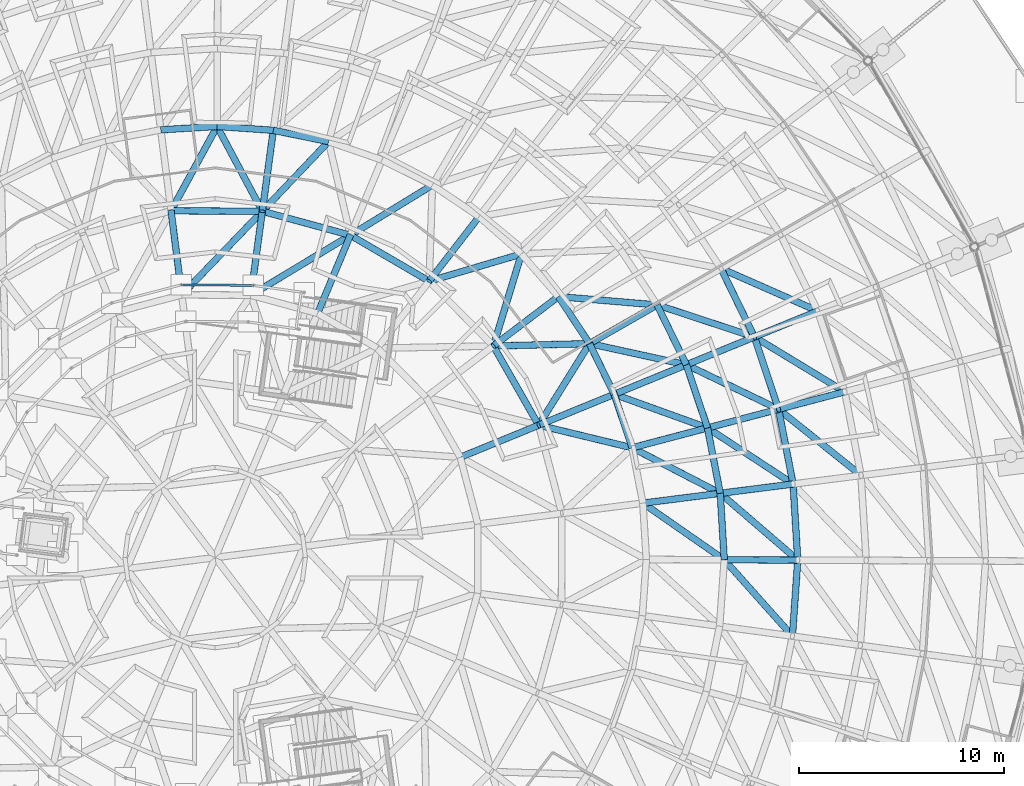
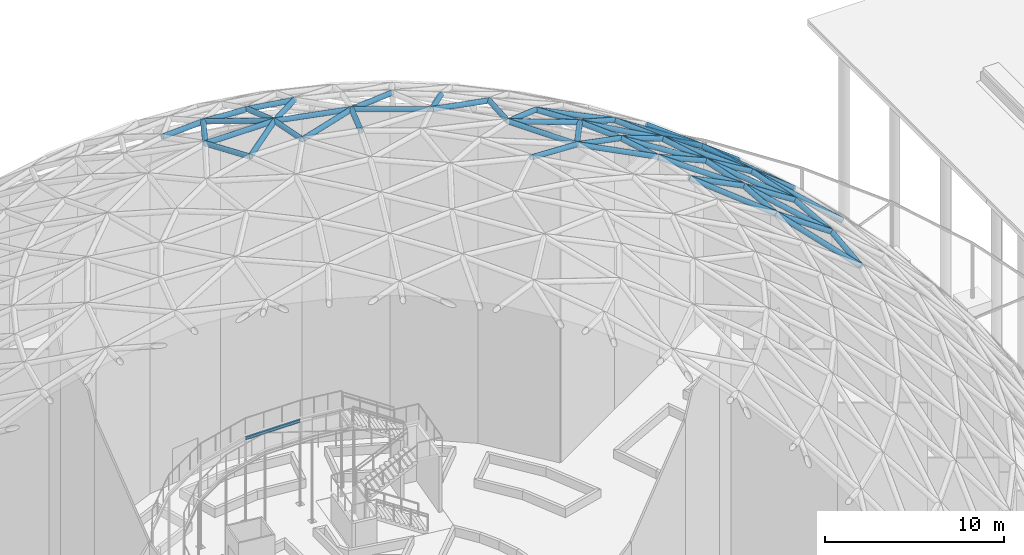
# One storey, part 108 of 226: 61 members, 1 beam.
"""IFC4 building model written with IfcOpenShell, lengths in metres."""

from ifc_helpers import new_model, si_unit, direction, frame, origin, origin_2d, place, context, subcontext, project, spatial, hollow_circle, i_section, extrude, material, material_profile, profile_set, type_object, element, save


model = new_model("IFC4")

# Units and contexts
model_context = context("Model", 3, precision=1e-05, world=origin(), true_north=direction((0.0, 1.0)))
body_context = subcontext(model_context, "Body", "Model", "MODEL_VIEW")
ifc_project = project(units=[si_unit("LENGTHUNIT", "METRE"), si_unit("AREAUNIT", "SQUARE_METRE"), si_unit("VOLUMEUNIT", "CUBIC_METRE"), si_unit("PLANEANGLEUNIT", "RADIAN"), si_unit("MASSUNIT", "GRAM", prefix="KILO")], contexts=[model_context])

# Site, building, storey
site_placement = place(None, origin())
site = spatial("IfcSite", under=ifc_project, at=site_placement, CompositionType="ELEMENT")
building_placement = place(site_placement, origin())
building = spatial("IfcBuilding", under=site, at=building_placement, Name="Ceibo Conservatory and Research Tower", CompositionType="ELEMENT")
storey_placement = place(building_placement, origin())
storey = spatial("IfcBuildingStorey", under=building, at=storey_placement, Name="L00", CompositionType="ELEMENT", Elevation=0.0)

# Members
ifc_material_1 = material(Name="Steel ASTM A500 Gr C", Category="steel")
ifc_material_profile_1 = material_profile(ifc_material_1, hollow_circle(Radius=0.161865234375, WallThickness=0.01025390625, at=origin_2d()), Name="CHS 323.9x10.31")
ifc_profile_set_1 = profile_set([ifc_material_profile_1], Name="Steel ASTM A500 Gr C")
member_type_1 = type_object("IfcMemberType", Name="CHS 323.9x10.31", PredefinedType="NOTDEFINED", material=ifc_profile_set_1)
member_1_placement = place(storey_placement, frame((184.177978515625, 111.5849609375, 17.39501953125), z_axis=(-0.815548674865, -0.103701353107, 0.569320988801), x_axis=(0.126139666344, -0.992012492147, 0.0)))
element("IfcMember", 1, at=member_1_placement, inside=storey, type_object=member_type_1, Name="Gridshell member A-M01-05", PredefinedType="RAFTER", context=body_context, shape_type="SweptSolid", body=[
    extrude(hollow_circle(Radius=0.161865234375, WallThickness=0.01025390625, at=origin_2d()), origin(), (0.0, 0.0, 1.0), 4.357666015625),
])
member_2_placement = place(storey_placement, frame((183.468994140625, 115.23193359375, 17.39501953125), z_axis=(-0.795082110604, -0.20923213437, 0.569268259562), x_axis=(0.25449329928, -0.967074537263, 0.0)))
element("IfcMember", 2, at=member_2_placement, inside=storey, type_object=member_type_1, Name="Gridshell member A-M02-05", PredefinedType="RAFTER", context=body_context, shape_type="SweptSolid", body=[
    extrude(hollow_circle(Radius=0.161865234375, WallThickness=0.01025390625, at=origin_2d()), origin(), (0.0, 0.0, 1.0), 4.358154296875),
])
member_3_placement = place(storey_placement, frame((182.2900390625, 118.756103515625, 17.39501953125), z_axis=(-0.760876121558, -0.311420288598, 0.569284578653), x_axis=(0.378792035202, -0.925481817254, 0.0)))
element("IfcMember", 3, at=member_3_placement, inside=storey, type_object=member_type_1, Name="Gridshell member A-M03-05", PredefinedType="RAFTER", context=body_context, shape_type="SweptSolid", body=[
    extrude(hollow_circle(Radius=0.161865234375, WallThickness=0.01025390625, at=origin_2d()), origin(), (0.0, 0.0, 1.0), 4.35791015625),
])
member_4_placement = place(storey_placement, frame((184.405029296875, 107.8759765625, 17.39501953125), z_axis=(-0.822142202026, 0.00369728709, 0.569270172867), x_axis=(-0.00449709271, -0.999989888027, 0.0)))
element("IfcMember", 4, at=member_4_placement, inside=storey, type_object=member_type_1, Name="Gridshell member A-M48-05", PredefinedType="RAFTER", context=body_context, shape_type="SweptSolid", body=[
    extrude(hollow_circle(Radius=0.161865234375, WallThickness=0.01025390625, at=origin_2d()), origin(), (0.0, 0.0, 1.0), 4.358154296875),
])
member_5_placement = place(storey_placement, frame((180.6240234375, 111.133056640625, 19.8759765625), z_axis=(-0.864673396571, -0.110085992595, 0.490123445162), x_axis=(0.126295657253, -0.991992644609, 0.0)))
element("IfcMember", 5, at=member_5_placement, inside=storey, type_object=member_type_1, Name="Gridshell member A-M01-06", PredefinedType="RAFTER", context=body_context, shape_type="SweptSolid", body=[
    extrude(hollow_circle(Radius=0.161865234375, WallThickness=0.01025390625, at=origin_2d()), origin(), (0.0, 0.0, 1.0), 4.360107421875),
])
member_6_placement = place(storey_placement, frame((180.00390625, 114.320068359375, 19.8759765625), z_axis=(-0.84288373455, -0.222032554311, 0.490151563149), x_axis=(0.254730464631, -0.967012094231, 0.0)))
element("IfcMember", 6, at=member_6_placement, inside=storey, type_object=member_type_1, Name="Gridshell member A-M02-06", PredefinedType="RAFTER", context=body_context, shape_type="SweptSolid", body=[
    extrude(hollow_circle(Radius=0.161865234375, WallThickness=0.01025390625, at=origin_2d()), origin(), (0.0, 0.0, 1.0), 4.35986328125),
])
member_7_placement = place(storey_placement, frame((178.97412109375, 117.39892578125, 19.8759765625), z_axis=(-0.806723945208, -0.330059067962, 0.49016067558), x_axis=(0.378667868227, -0.925532628043, 0.0)))
element("IfcMember", 7, at=member_7_placement, inside=storey, type_object=member_type_1, Name="Gridshell member A-M03-06", PredefinedType="RAFTER", context=body_context, shape_type="SweptSolid", body=[
    extrude(hollow_circle(Radius=0.161865234375, WallThickness=0.01025390625, at=origin_2d()), origin(), (0.0, 0.0, 1.0), 4.359619140625),
])
member_8_placement = place(storey_placement, frame((177.550048828125, 120.31689453125, 19.8759765625), z_axis=(-0.756711089888, -0.432590332967, 0.490157046532), x_axis=(0.49629806169, -0.868152195161, 0.0)))
element("IfcMember", 8, at=member_8_placement, inside=storey, type_object=member_type_1, Name="Gridshell member A-M04-06", PredefinedType="RAFTER", context=body_context, shape_type="SweptSolid", body=[
    extrude(hollow_circle(Radius=0.161865234375, WallThickness=0.01025390625, at=origin_2d()), origin(), (0.0, 0.0, 1.0), 4.35986328125),
])
member_9_placement = place(storey_placement, frame((175.45703125, 115.9599609375, 22.012939453125), z_axis=(-0.845363878027, -0.345728847162, 0.407224112703), x_axis=(0.378537334184, -0.925586023354, 0.0)))
element("IfcMember", 9, at=member_9_placement, inside=storey, type_object=member_type_1, Name="Gridshell member A-M03-07", PredefinedType="RAFTER", context=body_context, shape_type="SweptSolid", body=[
    extrude(hollow_circle(Radius=0.161865234375, WallThickness=0.01025390625, at=origin_2d()), origin(), (0.0, 0.0, 1.0), 4.359130859375),
])
member_10_placement = place(storey_placement, frame((172.73388671875, 120.72412109375, 22.012939453125), z_axis=(-0.727053629855, -0.552740001496, 0.407273262148), x_axis=(0.605207662432, -0.796067638667, 0.0)))
element("IfcMember", 10, at=member_10_placement, inside=storey, type_object=member_type_1, Name="Gridshell member A-M05-07", PredefinedType="RAFTER", context=body_context, shape_type="SweptSolid", body=[
    extrude(hollow_circle(Radius=0.161865234375, WallThickness=0.01025390625, at=origin_2d()), origin(), (0.0, 0.0, 1.0), 4.358642578125),
])
member_11_placement = place(storey_placement, frame((168.8701171875, 124.6220703125, 22.012939453125), z_axis=(-0.559092430089, -0.722193728068, 0.407249154396), x_axis=(0.790737113753, -0.612155876337, 0.0)))
element("IfcMember", 11, at=member_11_placement, inside=storey, type_object=member_type_1, Name="Gridshell member A-M07-07", PredefinedType="RAFTER", context=body_context, shape_type="SweptSolid", body=[
    extrude(hollow_circle(Radius=0.161865234375, WallThickness=0.01025390625, at=origin_2d()), origin(), (0.0, 0.0, 1.0), 4.35888671875),
])
member_12_placement = place(storey_placement, frame((158.8349609375, 128.830078125, 22.012939453125), z_axis=(-0.123155824209, -0.904990888306, 0.40721509678), x_axis=(0.990867072164, -0.134842297895, 0.0)))
element("IfcMember", 12, at=member_12_placement, inside=storey, type_object=member_type_1, Name="Gridshell member A-M11-07", PredefinedType="RAFTER", context=body_context, shape_type="SweptSolid", body=[
    extrude(hollow_circle(Radius=0.161865234375, WallThickness=0.01025390625, at=origin_2d()), origin(), (0.0, 0.0, 1.0), 4.359130859375),
])
ifc_material_profile_2 = material_profile(ifc_material_1, hollow_circle(Radius=0.161865234375, WallThickness=0.01416015625, at=origin_2d()), Name="CHS 323.9x14.27")
ifc_profile_set_2 = profile_set([ifc_material_profile_2], Name="Steel ASTM A500 Gr C")
member_type_2 = type_object("IfcMemberType", Name="CHS 323.9x14.27", PredefinedType="NOTDEFINED", material=ifc_profile_set_2)
member_13_placement = place(storey_placement, frame((186.697021484375, 116.08203125, 14.591064453125), z_axis=(-0.740463021501, -0.19500016948, 0.643186946146), x_axis=(0.254666097669, -0.967029047495, 0.0)))
element("IfcMember", 13, at=member_13_placement, inside=storey, type_object=member_type_2, Name="Gridshell member A-M02-04", PredefinedType="RAFTER", context=body_context, shape_type="SweptSolid", body=[
    extrude(hollow_circle(Radius=0.161865234375, WallThickness=0.01416015625, at=origin_2d()), origin(), (0.0, 0.0, 1.0), 4.359375),
])
member_14_placement = place(storey_placement, frame((185.37890625, 120.01904296875, 14.591064453125), z_axis=(-0.708666797854, -0.289751291914, 0.64330051955), x_axis=(0.378456219148, -0.925619192859, 0.0)))
element("IfcMember", 14, at=member_14_placement, inside=storey, type_object=member_type_2, Name="Gridshell member A-M03-04", PredefinedType="RAFTER", context=body_context, shape_type="SweptSolid", body=[
    extrude(hollow_circle(Radius=0.161865234375, WallThickness=0.01416015625, at=origin_2d()), origin(), (0.0, 0.0, 1.0), 4.358642578125),
])
ifc_material_profile_3 = material_profile(ifc_material_1, hollow_circle(Radius=0.161865234375, WallThickness=0.00634765625, at=origin_2d()), Name="CHS 323.9x6.35")
ifc_profile_set_3 = profile_set([ifc_material_profile_3], Name="Steel ASTM A500 Gr C")
member_type_3 = type_object("IfcMemberType", Name="CHS 323.9x6.35", PredefinedType="NOTDEFINED", material=ifc_profile_set_3)
member_15_placement = place(storey_placement, frame((171.77197265625, 114.452880859375, 23.7880859375), z_axis=(-0.496162581046, 0.868229631589, 0.0), x_axis=(-0.868229631589, -0.496162581046, 0.0)))
element("IfcMember", 15, at=member_15_placement, inside=storey, type_object=member_type_3, Name="Gridshell member A-C08-02", PredefinedType="CHORD", context=body_context, shape_type="SweptSolid", body=[
    extrude(hollow_circle(Radius=0.161865234375, WallThickness=0.00634765625, at=origin_2d()), origin(), (0.0, 0.0, 1.0), 4.4482421875),
])
member_16_placement = place(storey_placement, frame((166.43310546875, 121.47412109375, 23.7880859375), z_axis=(-0.863856517975, 0.503737944126, 0.0), x_axis=(-0.503737944126, -0.863856517975, 0.0)))
element("IfcMember", 16, at=member_16_placement, inside=storey, type_object=member_type_3, Name="Gridshell member A-C08-04", PredefinedType="CHORD", context=body_context, shape_type="SweptSolid", body=[
    extrude(hollow_circle(Radius=0.161865234375, WallThickness=0.00634765625, at=origin_2d()), origin(), (0.0, 0.0, 1.0), 4.44873046875),
])
member_17_placement = place(storey_placement, frame((162.590087890625, 123.715087890625, 23.7880859375), z_axis=(-0.964799273725, 0.262987378822, 0.0), x_axis=(-0.262987378822, -0.964799273725, 0.0)))
element("IfcMember", 17, at=member_17_placement, inside=storey, type_object=member_type_3, Name="Gridshell member A-C08-05", PredefinedType="CHORD", context=body_context, shape_type="SweptSolid", body=[
    extrude(hollow_circle(Radius=0.161865234375, WallThickness=0.00634765625, at=origin_2d()), origin(), (0.0, 0.0, 1.0), 4.448486328125),
])
member_18_placement = place(storey_placement, frame((158.298095703125, 124.885009765625, 23.7880859375), z_axis=(-0.999989876018, 0.004499762379, 0.0), x_axis=(-0.004499762379, -0.999989876018, 0.0)))
element("IfcMember", 18, at=member_18_placement, inside=storey, type_object=member_type_3, Name="Gridshell member A-C08-06", PredefinedType="CHORD", context=body_context, shape_type="SweptSolid", body=[
    extrude(hollow_circle(Radius=0.161865234375, WallThickness=0.00634765625, at=origin_2d()), origin(), (0.0, 0.0, 1.0), 4.448974609375),
])
member_19_placement = place(storey_placement, frame((184.177978515625, 111.5849609375, 17.39501953125), z_axis=(-0.748975049311, 0.490774257322, 0.445170758092), x_axis=(-0.548078190568, -0.836427102038, 0.0)))
element("IfcMember", 19, at=member_19_placement, inside=storey, type_object=member_type_3, Name="Gridshell diagonal member A-D05-01", PredefinedType="BRACE", context=body_context, shape_type="SweptSolid", body=[
    extrude(hollow_circle(Radius=0.161865234375, WallThickness=0.00634765625, at=origin_2d()), origin(), (0.0, 0.0, 1.0), 5.572998046875),
])
member_20_placement = place(storey_placement, frame((183.468994140625, 115.23193359375, 17.39501953125), z_axis=(-0.806589298942, 0.38885919382, 0.445199090536), x_axis=(-0.434270120788, -0.900782694212, 0.0)))
element("IfcMember", 20, at=member_20_placement, inside=storey, type_object=member_type_3, Name="Gridshell diagonal member A-D05-02", PredefinedType="BRACE", context=body_context, shape_type="SweptSolid", body=[
    extrude(hollow_circle(Radius=0.161865234375, WallThickness=0.00634765625, at=origin_2d()), origin(), (0.0, 0.0, 1.0), 5.57275390625),
])
for number, where, z_axis, x_axis, name in (
    (21, (182.2900390625, 118.756103515625, 17.39501953125), (-0.850522179751, 0.280061205004, 0.445171588495), (-0.31276194088, -0.949831547348, 0.0), "Gridshell diagonal member A-D05-03"),
    (22, (184.14599609375, 104.169921875, 17.39501953125), (-0.596441059943, 0.667891325736, 0.445173268538), (-0.745876895649, -0.666083820954, 0.0), "Gridshell diagonal member A-D05-47"),
):
    element("IfcMember", number, at=place(storey_placement, frame(where, z_axis=z_axis, x_axis=x_axis)), inside=storey, type_object=member_type_3, Name=name, PredefinedType="BRACE", context=body_context, shape_type="SweptSolid", body=[
        extrude(hollow_circle(Radius=0.161865234375, WallThickness=0.00634765625, at=origin_2d()), origin(), (0.0, 0.0, 1.0), 5.572998046875),
    ])
member_21_placement = place(storey_placement, frame((184.405029296875, 107.8759765625, 17.39501953125), z_axis=(-0.678435486365, 0.584426152489, 0.445164422576), x_axis=(-0.65266280113, -0.757648512188, 0.0)))
element("IfcMember", 23, at=member_21_placement, inside=storey, type_object=member_type_3, Name="Gridshell diagonal member A-D05-48", PredefinedType="BRACE", context=body_context, shape_type="SweptSolid", body=[
    extrude(hollow_circle(Radius=0.161865234375, WallThickness=0.00634765625, at=origin_2d()), origin(), (0.0, 0.0, 1.0), 5.5732421875),
])
member_22_placement = place(storey_placement, frame((180.6240234375, 111.133056640625, 19.8759765625), z_axis=(-0.812580071698, 0.41982379898, 0.404303852181), x_axis=(-0.459012079617, -0.888430025813, 0.0)))
element("IfcMember", 24, at=member_22_placement, inside=storey, type_object=member_type_3, Name="Gridshell diagonal member A-D06-01", PredefinedType="BRACE", context=body_context, shape_type="SweptSolid", body=[
    extrude(hollow_circle(Radius=0.161865234375, WallThickness=0.00634765625, at=origin_2d()), origin(), (0.0, 0.0, 1.0), 5.28564453125),
])
member_23_placement = place(storey_placement, frame((180.00390625, 114.320068359375, 19.8759765625), z_axis=(-0.860355796073, 0.310299070136, 0.404354289252), x_axis=(-0.339272080691, -0.940688288044, 0.0)))
element("IfcMember", 25, at=member_23_placement, inside=storey, type_object=member_type_3, Name="Gridshell diagonal member A-D06-02", PredefinedType="BRACE", context=body_context, shape_type="SweptSolid", body=[
    extrude(hollow_circle(Radius=0.161865234375, WallThickness=0.00634765625, at=origin_2d()), origin(), (0.0, 0.0, 1.0), 5.284912109375),
])
member_24_placement = place(storey_placement, frame((178.97412109375, 117.39892578125, 19.8759765625), z_axis=(-0.893553222526, 0.195236714133, 0.404283642963), x_axis=(-0.213458920442, -0.976952040422, 0.0)))
element("IfcMember", 26, at=member_24_placement, inside=storey, type_object=member_type_3, Name="Gridshell diagonal member A-D06-03", PredefinedType="BRACE", context=body_context, shape_type="SweptSolid", body=[
    extrude(hollow_circle(Radius=0.161865234375, WallThickness=0.00634765625, at=origin_2d()), origin(), (0.0, 0.0, 1.0), 5.285888671875),
])
member_25_placement = place(storey_placement, frame((177.550048828125, 120.31689453125, 19.8759765625), z_axis=(-0.911343828379, 0.077057915838, 0.404369266985), x_axis=(-0.084253519406, -0.996444350914, 0.0)))
element("IfcMember", 27, at=member_25_placement, inside=storey, type_object=member_type_3, Name="Gridshell diagonal member A-D06-04", PredefinedType="BRACE", context=body_context, shape_type="SweptSolid", body=[
    extrude(hollow_circle(Radius=0.161865234375, WallThickness=0.00634765625, at=origin_2d()), origin(), (0.0, 0.0, 1.0), 5.28466796875),
])
member_26_placement = place(storey_placement, frame((180.822021484375, 107.89208984375, 19.8759765625), z_axis=(-0.750759183648, 0.522385750807, 0.404318903247), x_axis=(-0.57115178965, -0.820844463452, 0.0)))
element("IfcMember", 28, at=member_26_placement, inside=storey, type_object=member_type_3, Name="Gridshell diagonal member A-D06-48", PredefinedType="BRACE", context=body_context, shape_type="SweptSolid", body=[
    extrude(hollow_circle(Radius=0.161865234375, WallThickness=0.00634765625, at=origin_2d()), origin(), (0.0, 0.0, 1.0), 5.285400390625),
])
member_27_placement = place(storey_placement, frame((176.3291015625, 113.35205078125, 22.012939453125), z_axis=(-0.909058117901, 0.219594077661, 0.354107016782), x_axis=(-0.234808517034, -0.972041645367, 0.0)))
element("IfcMember", 29, at=member_27_placement, inside=storey, type_object=member_type_3, Name="Gridshell diagonal member A-D07-03", PredefinedType="BRACE", context=body_context, shape_type="SweptSolid", body=[
    extrude(hollow_circle(Radius=0.161865234375, WallThickness=0.00634765625, at=origin_2d()), origin(), (0.0, 0.0, 1.0), 5.012939453125),
])
member_28_placement = place(storey_placement, frame((174.2509765625, 118.430908203125, 22.012939453125), z_axis=(-0.494602259492, -0.793682215498, 0.354171068423), x_axis=(0.848694006558, -0.528884186976, 0.0)))
element("IfcMember", 30, at=member_28_placement, inside=storey, type_object=member_type_3, Name="Gridshell diagonal member A-D07-04", PredefinedType="BRACE", context=body_context, shape_type="SweptSolid", body=[
    extrude(hollow_circle(Radius=0.161865234375, WallThickness=0.00634765625, at=origin_2d()), origin(), (0.0, 0.0, 1.0), 5.01220703125),
])
member_29_placement = place(storey_placement, frame((174.2509765625, 118.430908203125, 22.012939453125), z_axis=(-0.934900321185, -0.02313627449, 0.354155477511), x_axis=(0.024739742353, -0.999693925733, 0.0)))
element("IfcMember", 31, at=member_29_placement, inside=storey, type_object=member_type_3, Name="Gridshell diagonal member A-D07-05", PredefinedType="BRACE", context=body_context, shape_type="SweptSolid", body=[
    extrude(hollow_circle(Radius=0.161865234375, WallThickness=0.00634765625, at=origin_2d()), origin(), (0.0, 0.0, 1.0), 5.012451171875),
])
for number, where, z_axis, x_axis, name in (
    (32, (170.929931640625, 122.800048828125, 22.012939453125), (-0.272288126249, -0.894688815476, 0.354106057228), (0.956676403075, -0.29115332696, 0.0), "Gridshell diagonal member A-D07-06"),
    (33, (170.929931640625, 122.800048828125, 22.012939453125), (-0.897023917575, -0.264495189552, 0.354105049389), (0.282820349314, -0.959172898916, 0.0), "Gridshell diagonal member A-D07-07"),
):
    element("IfcMember", number, at=place(storey_placement, frame(where, z_axis=z_axis, x_axis=x_axis)), inside=storey, type_object=member_type_3, Name=name, PredefinedType="BRACE", context=body_context, shape_type="SweptSolid", body=[
        extrude(hollow_circle(Radius=0.161865234375, WallThickness=0.00634765625, at=origin_2d()), origin(), (0.0, 0.0, 1.0), 5.012939453125),
    ])
member_30_placement = place(storey_placement, frame((166.590087890625, 126.159912109375, 22.012939453125), z_axis=(-0.797954900847, -0.487714866765, 0.354121709232), x_axis=(0.52150899092, -0.853245786623, 0.0)))
element("IfcMember", 34, at=member_30_placement, inside=storey, type_object=member_type_3, Name="Gridshell diagonal member A-D07-09", PredefinedType="BRACE", context=body_context, shape_type="SweptSolid", body=[
    extrude(hollow_circle(Radius=0.161865234375, WallThickness=0.00634765625, at=origin_2d()), origin(), (0.0, 0.0, 1.0), 5.0126953125),
])
member_31_placement = place(storey_placement, frame((161.529052734375, 128.281982421875, 22.012939453125), z_axis=(-0.644522300446, -0.677639662113, 0.354112259826), x_axis=(0.724591043665, -0.689179090978, 0.0)))
element("IfcMember", 35, at=member_31_placement, inside=storey, type_object=member_type_3, Name="Gridshell diagonal member A-D07-11", PredefinedType="BRACE", context=body_context, shape_type="SweptSolid", body=[
    extrude(hollow_circle(Radius=0.161865234375, WallThickness=0.00634765625, at=origin_2d()), origin(), (0.0, 0.0, 1.0), 5.012939453125),
])
for number, where, z_axis, x_axis, name in (
    (36, (156.092041015625, 129.02197265625, 22.012939453125), (0.440048244196, -0.825212206497, 0.354093712212), (0.88238176902, 0.470534179101, 0.0), "Gridshell diagonal member A-D07-12"),
    (37, (156.092041015625, 129.02197265625, 22.012939453125), (-0.447412781829, -0.821238896265, 0.354102355141), (0.878136266102, -0.478410595782, 0.0), "Gridshell diagonal member A-D07-13"),
):
    element("IfcMember", number, at=place(storey_placement, frame(where, z_axis=z_axis, x_axis=x_axis)), inside=storey, type_object=member_type_3, Name=name, PredefinedType="BRACE", context=body_context, shape_type="SweptSolid", body=[
        extrude(hollow_circle(Radius=0.161865234375, WallThickness=0.00634765625, at=origin_2d()), origin(), (0.0, 0.0, 1.0), 5.01318359375),
    ])
member_32_placement = place(storey_placement, frame((162.590087890625, 123.715087890625, 23.7880859375), z_axis=(-0.831668110253, -0.501002363266, 0.239425951789), x_axis=(0.516010727566, -0.856582120428, 0.0)))
element("IfcMember", 38, at=member_32_placement, inside=storey, type_object=member_type_3, Name="Gridshell diagonal member A-D08-05", PredefinedType="BRACE", context=body_context, shape_type="SweptSolid", body=[
    extrude(hollow_circle(Radius=0.161865234375, WallThickness=0.00634765625, at=origin_2d()), origin(), (0.0, 0.0, 1.0), 5.83056640625),
])
member_33_placement = place(storey_placement, frame((158.298095703125, 124.885009765625, 23.7880859375), z_axis=(-0.673640377299, -0.699187199192, 0.239470045222), x_axis=(0.72014058766, -0.693828173256, 0.0)))
element("IfcMember", 39, at=member_33_placement, inside=storey, type_object=member_type_3, Name="Gridshell diagonal member A-D08-06", PredefinedType="BRACE", context=body_context, shape_type="SweptSolid", body=[
    extrude(hollow_circle(Radius=0.161865234375, WallThickness=0.00634765625, at=origin_2d()), origin(), (0.0, 0.0, 1.0), 5.82958984375),
])
ifc_material_profile_4 = material_profile(ifc_material_1, hollow_circle(Radius=0.161865234375, WallThickness=0.00830078125, at=origin_2d()), Name="CHS 323.9x8.38")
ifc_profile_set_4 = profile_set([ifc_material_profile_4], Name="Steel ASTM A500 Gr C")
member_type_4 = type_object("IfcMemberType", Name="CHS 323.9x8.38", PredefinedType="NOTDEFINED", material=ifc_profile_set_4)
member_34_placement = place(storey_placement, frame((184.177978515625, 111.5849609375, 17.39501953125), z_axis=(-0.190830963929, 0.981622912939, 0.0), x_axis=(-0.981622912939, -0.190830963929, 0.0)))
element("IfcMember", 40, at=member_34_placement, inside=storey, type_object=member_type_4, Name="Gridshell member A-C05-01", PredefinedType="CHORD", context=body_context, shape_type="SweptSolid", body=[
    extrude(hollow_circle(Radius=0.161865234375, WallThickness=0.00830078125, at=origin_2d()), origin(), (0.0, 0.0, 1.0), 3.71533203125),
])
member_35_placement = place(storey_placement, frame((183.468994140625, 115.23193359375, 17.39501953125), z_axis=(-0.317252460005, 0.94834111828, 0.0), x_axis=(-0.94834111828, -0.317252460005, 0.0)))
element("IfcMember", 41, at=member_35_placement, inside=storey, type_object=member_type_4, Name="Gridshell member A-C05-02", PredefinedType="CHORD", context=body_context, shape_type="SweptSolid", body=[
    extrude(hollow_circle(Radius=0.161865234375, WallThickness=0.00830078125, at=origin_2d()), origin(), (0.0, 0.0, 1.0), 3.716064453125),
])
for number, where, z_axis, x_axis, name in (
    (42, (182.2900390625, 118.756103515625, 17.39501953125), (-0.438518144671, 0.89872233576, 0.0), (-0.89872233576, -0.438518144671, 0.0), "Gridshell member A-C05-03"),
    (43, (184.14599609375, 104.169921875, 17.39501953125), (0.069724494689, 0.997566285938, 0.0), (-0.997566285938, 0.069724494689, 0.0), "Gridshell member A-C05-47"),
):
    element("IfcMember", number, at=place(storey_placement, frame(where, z_axis=z_axis, x_axis=x_axis)), inside=storey, type_object=member_type_4, Name=name, PredefinedType="CHORD", context=body_context, shape_type="SweptSolid", body=[
        extrude(hollow_circle(Radius=0.161865234375, WallThickness=0.00830078125, at=origin_2d()), origin(), (0.0, 0.0, 1.0), 3.715087890625),
    ])
member_36_placement = place(storey_placement, frame((184.405029296875, 107.8759765625, 17.39501953125), z_axis=(-0.061102048285, 0.998131524247, 0.0), x_axis=(-0.998131524247, -0.061102048285, 0.0)))
element("IfcMember", 44, at=member_36_placement, inside=storey, type_object=member_type_4, Name="Gridshell member A-C05-48", PredefinedType="CHORD", context=body_context, shape_type="SweptSolid", body=[
    extrude(hollow_circle(Radius=0.161865234375, WallThickness=0.00830078125, at=origin_2d()), origin(), (0.0, 0.0, 1.0), 3.7158203125),
])
member_37_placement = place(storey_placement, frame((180.6240234375, 111.133056640625, 19.8759765625), z_axis=(-0.190994441564, 0.981591118181, 0.0), x_axis=(-0.981591118181, -0.190994441564, 0.0)))
element("IfcMember", 45, at=member_37_placement, inside=storey, type_object=member_type_4, Name="Gridshell member A-C06-01", PredefinedType="CHORD", context=body_context, shape_type="SweptSolid", body=[
    extrude(hollow_circle(Radius=0.161865234375, WallThickness=0.00830078125, at=origin_2d()), origin(), (0.0, 0.0, 1.0), 3.246826171875),
])
member_38_placement = place(storey_placement, frame((180.00390625, 114.320068359375, 19.8759765625), z_axis=(-0.317197693204, 0.948359437885, 0.0), x_axis=(-0.948359437885, -0.317197693204, 0.0)))
element("IfcMember", 46, at=member_38_placement, inside=storey, type_object=member_type_4, Name="Gridshell member A-C06-02", PredefinedType="CHORD", context=body_context, shape_type="SweptSolid", body=[
    extrude(hollow_circle(Radius=0.161865234375, WallThickness=0.00830078125, at=origin_2d()), origin(), (0.0, 0.0, 1.0), 3.24658203125),
])
member_39_placement = place(storey_placement, frame((178.97412109375, 117.39892578125, 19.8759765625), z_axis=(-0.438591025392, 0.898686771042, 0.0), x_axis=(-0.898686771042, -0.438591025392, 0.0)))
element("IfcMember", 47, at=member_39_placement, inside=storey, type_object=member_type_4, Name="Gridshell member A-C06-03", PredefinedType="CHORD", context=body_context, shape_type="SweptSolid", body=[
    extrude(hollow_circle(Radius=0.161865234375, WallThickness=0.00830078125, at=origin_2d()), origin(), (0.0, 0.0, 1.0), 3.246826171875),
])
member_40_placement = place(storey_placement, frame((180.822021484375, 107.89208984375, 19.8759765625), z_axis=(-0.060978590523, 0.998139074227, 0.0), x_axis=(-0.998139074227, -0.060978590523, 0.0)))
element("IfcMember", 48, at=member_40_placement, inside=storey, type_object=member_type_4, Name="Gridshell member A-C06-48", PredefinedType="CHORD", context=body_context, shape_type="SweptSolid", body=[
    extrude(hollow_circle(Radius=0.161865234375, WallThickness=0.00830078125, at=origin_2d()), origin(), (0.0, 0.0, 1.0), 3.2470703125),
])
member_41_placement = place(storey_placement, frame((176.3291015625, 113.35205078125, 22.012939453125), z_axis=(-0.317133209494, 0.948381003308, 0.0), x_axis=(-0.948381003308, -0.317133209494, 0.0)))
element("IfcMember", 49, at=member_41_placement, inside=storey, type_object=member_type_4, Name="Gridshell member A-C07-02", PredefinedType="CHORD", context=body_context, shape_type="SweptSolid", body=[
    extrude(hollow_circle(Radius=0.161865234375, WallThickness=0.00830078125, at=origin_2d()), origin(), (0.0, 0.0, 1.0), 2.749755859375),
])
for number, where, z_axis, x_axis, name in (
    (50, (175.45703125, 115.9599609375, 22.012939453125), (-0.438633546877, 0.898666017803, 0.0), (-0.898666017803, -0.438633546877, 0.0), "Gridshell member A-C07-03"),
    (51, (174.2509765625, 118.430908203125, 22.012939453125), (-0.551746121392, 0.834012120733, 0.0), (-0.834012120733, -0.551746121392, 0.0), "Gridshell member A-C07-04"),
):
    element("IfcMember", number, at=place(storey_placement, frame(where, z_axis=z_axis, x_axis=x_axis)), inside=storey, type_object=member_type_4, Name=name, PredefinedType="CHORD", context=body_context, shape_type="SweptSolid", body=[
        extrude(hollow_circle(Radius=0.161865234375, WallThickness=0.00830078125, at=origin_2d()), origin(), (0.0, 0.0, 1.0), 2.74951171875),
    ])
member_42_placement = place(storey_placement, frame((161.529052734375, 128.281982421875, 22.012939453125), z_axis=(-0.979926372224, 0.199359737711, 0.0), x_axis=(-0.199359737711, -0.979926372224, 0.0)))
element("IfcMember", 52, at=member_42_placement, inside=storey, type_object=member_type_4, Name="Gridshell member A-C07-10", PredefinedType="CHORD", context=body_context, shape_type="SweptSolid", body=[
    extrude(hollow_circle(Radius=0.161865234375, WallThickness=0.00830078125, at=origin_2d()), origin(), (0.0, 0.0, 1.0), 2.749267578125),
])
member_43_placement = place(storey_placement, frame((158.8349609375, 128.830078125, 22.012939453125), z_axis=(-0.997561749613, 0.069789366729, 0.0), x_axis=(-0.069789366729, -0.997561749613, 0.0)))
element("IfcMember", 53, at=member_43_placement, inside=storey, type_object=member_type_4, Name="Gridshell member A-C07-11", PredefinedType="CHORD", context=body_context, shape_type="SweptSolid", body=[
    extrude(hollow_circle(Radius=0.161865234375, WallThickness=0.00830078125, at=origin_2d()), origin(), (0.0, 0.0, 1.0), 2.74951171875),
])
member_44_placement = place(storey_placement, frame((156.092041015625, 129.02197265625, 22.012939453125), z_axis=(-0.998133242961, -0.061073965774, 0.0), x_axis=(0.061073965774, -0.998133242961, 0.0)))
element("IfcMember", 54, at=member_44_placement, inside=storey, type_object=member_type_4, Name="Gridshell member A-C07-12", PredefinedType="CHORD", context=body_context, shape_type="SweptSolid", body=[
    extrude(hollow_circle(Radius=0.161865234375, WallThickness=0.00830078125, at=origin_2d()), origin(), (0.0, 0.0, 1.0), 2.750244140625),
])
member_45_placement = place(storey_placement, frame((187.489013671875, 112.006103515625, 14.591064453125), z_axis=(-0.6851218934, 0.549770167466, 0.477871064357), x_axis=(-0.625855417337, -0.779939098, 0.0)))
element("IfcMember", 55, at=member_45_placement, inside=storey, type_object=member_type_4, Name="Gridshell diagonal member A-D04-01", PredefinedType="BRACE", context=body_context, shape_type="SweptSolid", body=[
    extrude(hollow_circle(Radius=0.161865234375, WallThickness=0.00830078125, at=origin_2d()), origin(), (0.0, 0.0, 1.0), 5.86767578125),
])
member_46_placement = place(storey_placement, frame((186.697021484375, 116.08203125, 14.591064453125), z_axis=(-0.751009721407, 0.455698270377, 0.477832067496), x_axis=(-0.518751945527, -0.854924803133, 0.0)))
element("IfcMember", 56, at=member_46_placement, inside=storey, type_object=member_type_4, Name="Gridshell diagonal member A-D04-02", PredefinedType="BRACE", context=body_context, shape_type="SweptSolid", body=[
    extrude(hollow_circle(Radius=0.161865234375, WallThickness=0.00830078125, at=origin_2d()), origin(), (0.0, 0.0, 1.0), 5.8681640625),
])
member_47_placement = place(storey_placement, frame((185.37890625, 120.01904296875, 14.591064453125), z_axis=(-0.80404925861, 0.353781673788, 0.477852819412), x_axis=(-0.402738614266, -0.915315032423, 0.0)))
element("IfcMember", 57, at=member_47_placement, inside=storey, type_object=member_type_4, Name="Gridshell diagonal member A-D04-03", PredefinedType="BRACE", context=body_context, shape_type="SweptSolid", body=[
    extrude(hollow_circle(Radius=0.161865234375, WallThickness=0.00830078125, at=origin_2d()), origin(), (0.0, 0.0, 1.0), 5.867919921875),
])
member_48_placement = place(storey_placement, frame((171.77197265625, 114.452880859375, 23.7880859375), z_axis=(-0.876719142512, -0.358843704999, 0.320304137556), x_axis=(0.378800921469, -0.925478180129, 0.0)))
element("IfcMember", 58, at=member_48_placement, inside=storey, type_object=member_type_4, Name="Gridshell member A-M02-08", PredefinedType="RAFTER", context=body_context, shape_type="SweptSolid", body=[
    extrude(hollow_circle(Radius=0.161865234375, WallThickness=0.00830078125, at=origin_2d()), origin(), (0.0, 0.0, 1.0), 4.3583984375),
])
member_49_placement = place(storey_placement, frame((162.590087890625, 123.715087890625, 23.7880859375), z_axis=(-0.366401790551, -0.873606714921, 0.320251519164), x_axis=(0.9221753363, -0.386772089375, 0.0)))
element("IfcMember", 59, at=member_49_placement, inside=storey, type_object=member_type_4, Name="Gridshell member A-M05-08", PredefinedType="RAFTER", context=body_context, shape_type="SweptSolid", body=[
    extrude(hollow_circle(Radius=0.161865234375, WallThickness=0.00830078125, at=origin_2d()), origin(), (0.0, 0.0, 1.0), 4.359130859375),
])
member_50_placement = place(storey_placement, frame((158.298095703125, 124.885009765625, 23.7880859375), z_axis=(-0.127827572704, -0.938653214636, 0.320297134409), x_axis=(0.990854260353, -0.134936409985, 0.0)))
element("IfcMember", 60, at=member_50_placement, inside=storey, type_object=member_type_4, Name="Gridshell member A-M06-08", PredefinedType="RAFTER", context=body_context, shape_type="SweptSolid", body=[
    extrude(hollow_circle(Radius=0.161865234375, WallThickness=0.00830078125, at=origin_2d()), origin(), (0.0, 0.0, 1.0), 4.3583984375),
])
member_51_placement = place(storey_placement, frame((153.84912109375, 124.905029296875, 23.7880859375), z_axis=(0.119754902644, -0.939723106482, 0.320279950102), x_axis=(0.991977567865, 0.126414021583, 0.0)))
element("IfcMember", 61, at=member_51_placement, inside=storey, type_object=member_type_4, Name="Gridshell member A-M07-08", PredefinedType="RAFTER", context=body_context, shape_type="SweptSolid", body=[
    extrude(hollow_circle(Radius=0.161865234375, WallThickness=0.00830078125, at=origin_2d()), origin(), (0.0, 0.0, 1.0), 4.358642578125),
])

# Beam
ifc_material_2 = material(Name="Steel S355J2", Category="steel")
ifc_material_profile_5 = material_profile(ifc_material_2, i_section(OverallWidth=0.10009765625, OverallDepth=0.199951171875, WebThickness=0.005615234375, FlangeThickness=0.008544921875, at=origin_2d()), Name="IPE 200")
ifc_profile_set_5 = profile_set([ifc_material_profile_5], Name="Steel S355J2")
beam_type = type_object("IfcBeamType", Name="IPE 200 walkway beam", PredefinedType="BEAM", material=ifc_profile_set_5)
beam_placement = place(storey_placement, frame((157.864990234375, 121.26953125, 5.699951171875), z_axis=(-0.999967560097, 0.008054734878, 0.0), x_axis=(-0.008054734878, -0.999967560097, 0.0)))
element("IfcBeam", 62, at=beam_placement, inside=storey, type_object=beam_type, Name="Walkway beam WK-B01O", PredefinedType="BEAM", context=body_context, shape_type="SweptSolid", body=[
    extrude(i_section(OverallWidth=0.10009765625, OverallDepth=0.199951171875, WebThickness=0.005615234375, FlangeThickness=0.008544921875, at=origin_2d()), origin(), (0.0, 0.0, 1.0), 3.515869140625),
])

save(model, "model.ifc")
